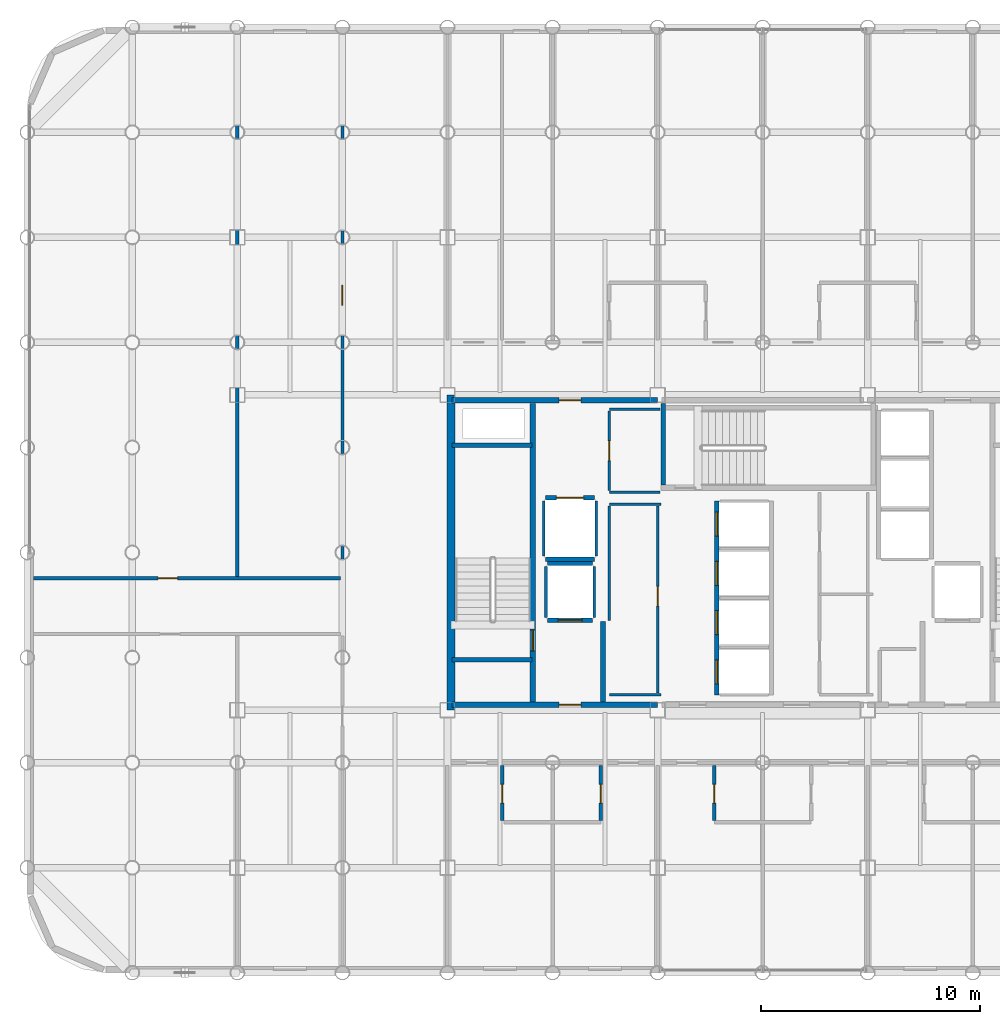
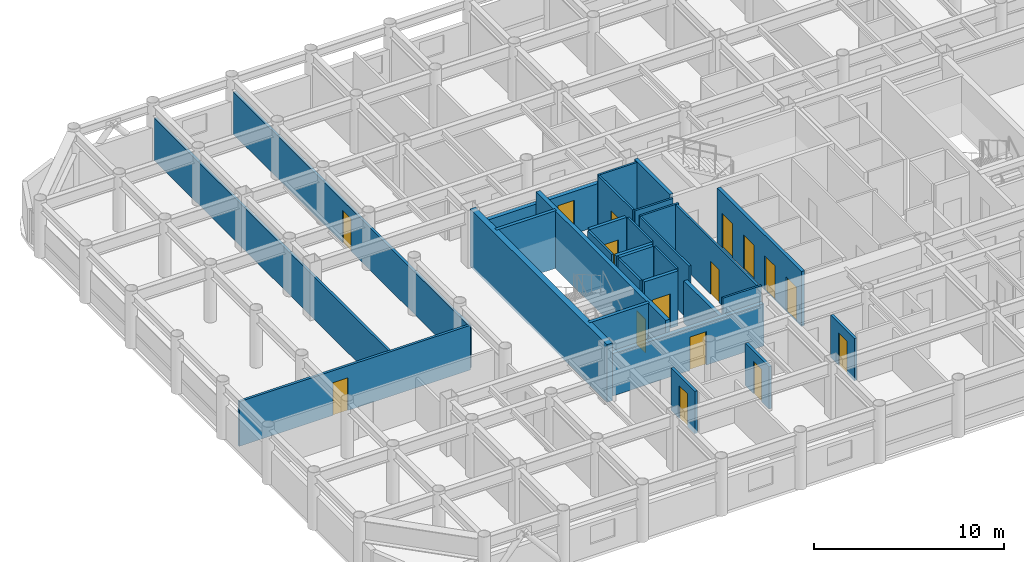
# One storey, part 16 of 20: 30 walls, 16 doors, 16 openings.
"""IFC4 building model written with IfcOpenShell, lengths in metres."""

from ifc_helpers import new_model, si_unit, direction, frame, frame_2d, origin, place, context, subcontext, project, spatial, rectangle, extrude, material, layer, layer_set, type_object, element, fill, save


model = new_model("IFC4")

# Units and contexts
model_context = context("Model", 3, precision=1e-05, world=origin(), true_north=direction((0.0, 1.0)))
body_context = subcontext(model_context, "Body", "Model", "MODEL_VIEW")
ifc_project = project(units=[si_unit("LENGTHUNIT", "METRE"), si_unit("AREAUNIT", "SQUARE_METRE"), si_unit("VOLUMEUNIT", "CUBIC_METRE"), si_unit("PLANEANGLEUNIT", "RADIAN"), si_unit("MASSUNIT", "GRAM", prefix="KILO")], contexts=[model_context])

# Site, building, storey
site_placement = place(None, origin())
site = spatial("IfcSite", under=ifc_project, at=site_placement, CompositionType="ELEMENT")
building_placement = place(site_placement, origin())
building = spatial("IfcBuilding", under=site, at=building_placement, Name="Kallvorn Hotel Tower", CompositionType="ELEMENT")
storey_placement = place(building_placement, frame((0.0, 0.0, 128.5)))
storey = spatial("IfcBuildingStorey", under=building, at=storey_placement, Name="L31", CompositionType="ELEMENT", Elevation=128.5)

# Wall
ifc_material_1 = material(Name="Concrete C50/60", Category="concrete")
ifc_layer_1 = layer(ifc_material_1, 0.35009765625)
ifc_layer_set_1 = layer_set([ifc_layer_1], Name="WL_CORE_350")
wall_type_1 = type_object("IfcWallType", Name="WL_CORE_350", PredefinedType="SHEAR", material=ifc_layer_set_1)
wall_1_placement = place(storey_placement, frame((-14.239990234375, -7.199951171875, -0.179931640625), z_axis=(0.0, 0.0, 1.0), x_axis=(0.0, 1.0, 0.0)))
element("IfcWall", 1, at=wall_1_placement, inside=storey, type_object=wall_type_1, Name="L31 Core West Shear Wall", PredefinedType="SHEAR", context=body_context, shape_type="SweptSolid", body=[
    extrude(rectangle(XDim=14.39990234375, YDim=0.35009765625, at=frame_2d((7.199951171875, 0.0))), origin(), (0.0, 0.0, 1.0), 3.699951171875),
])

# Wall, opening, door
ifc_material_2 = material(Name="Fire-rated double-layer acoustic gypsum drywall EI 60")
ifc_layer_2 = layer(ifc_material_2, 0.159912109375)
ifc_layer_set_2 = layer_set([ifc_layer_2], Name="WL_DEMISE_160")
wall_type_2 = type_object("IfcWallType", Name="WL_DEMISE_160", PredefinedType="PARTITIONING", material=ifc_layer_set_2)
wall_2_placement = place(storey_placement, frame((-11.905029296875, -12.235107421875, 0.0), z_axis=(0.0, 0.0, 1.0), x_axis=(0.0, 1.0, 0.0)))
wall_2 = element("IfcWall", 2, at=wall_2_placement, inside=storey, type_object=wall_type_2, Name="L31 Suite 3101 Superior Twin Room Partition", PredefinedType="PARTITIONING", context=body_context, shape_type="SweptSolid", body=[
    extrude(rectangle(XDim=2.51513671875, YDim=0.159912109375, at=frame_2d((1.257568359375, 0.0))), origin(), (0.0, 0.0, 1.0), 2.719970703125),
])
opening_1_placement = place(wall_2_placement, frame((0.784912109375, 0.0, 0.0)))
opening_1 = element("IfcOpeningElement", 3, at=opening_1_placement, cuts=wall_2, Name="Opening BD-I", PredefinedType="OPENING", context=body_context, shape_type="SweptSolid", body=[
    extrude(rectangle(XDim=0.860107421875, YDim=2.10009765625, at=frame_2d((0.43017578125, 1.050048828125))), frame((0.0, 0.094970703125, 0.0), z_axis=(0.0, -1.0, 0.0), x_axis=(1.0, 0.0, 0.0)), (0.0, 0.0, 1.0), 0.18994140625),
])
ifc_material_3 = material(Name="Solid-core walnut veneer fire-rated timber door leaf", Category="wood")
door_type_1 = type_object("IfcDoorType", Name="DR_BATH_860x2100", OperationType="NOTDEFINED", PredefinedType="DOOR", material=ifc_material_3)
door_1_placement = place(opening_1_placement, origin())
door_1 = element("IfcDoor", 4, at=door_1_placement, inside=storey, type_object=door_type_1, Name="L31 Suite 3101 En-Suite Bathroom Door", OperationType="SINGLE_SWING_RIGHT", OverallHeight=2.10009765625, OverallWidth=0.860107421875, PredefinedType="DOOR", context=body_context, shape_type="SweptSolid", body=[
    extrude(rectangle(XDim=0.860107421875, YDim=2.10009765625, at=frame_2d((0.43017578125, 1.050048828125))), frame((0.0, 0.02490234375, 0.0), z_axis=(0.0, -1.0, 0.0), x_axis=(1.0, 0.0, 0.0)), (0.0, 0.0, 1.0), 0.050048828125),
])
fill(opening_1, door_1)

wall_3_placement = place(storey_placement, frame((-7.389892578125, -12.235107421875, 0.0), z_axis=(0.0, 0.0, 1.0), x_axis=(0.0, 1.0, 0.0)))
wall_3 = element("IfcWall", 5, at=wall_3_placement, inside=storey, type_object=wall_type_2, Name="L31 Suite 3102 Superior Twin Room Partition", PredefinedType="PARTITIONING", context=body_context, shape_type="SweptSolid", body=[
    extrude(rectangle(XDim=2.51513671875, YDim=0.159912109375, at=frame_2d((1.257568359375, 0.0))), origin(), (0.0, 0.0, 1.0), 2.719970703125),
])
opening_2_placement = place(wall_3_placement, frame((0.784912109375, 0.0, 0.0)))
opening_2 = element("IfcOpeningElement", 6, at=opening_2_placement, cuts=wall_3, Name="Opening BD-I", PredefinedType="OPENING", context=body_context, shape_type="SweptSolid", body=[
    extrude(rectangle(XDim=0.860107421875, YDim=2.10009765625, at=frame_2d((0.43017578125, 1.050048828125))), frame((0.0, 0.094970703125, 0.0), z_axis=(0.0, -1.0, 0.0), x_axis=(1.0, 0.0, 0.0)), (0.0, 0.0, 1.0), 0.18994140625),
])
door_2_placement = place(opening_2_placement, origin())
door_2 = element("IfcDoor", 7, at=door_2_placement, inside=storey, type_object=door_type_1, Name="L31 Suite 3102 En-Suite Bathroom Door", OperationType="SINGLE_SWING_LEFT", OverallHeight=2.10009765625, OverallWidth=0.860107421875, PredefinedType="DOOR", context=body_context, shape_type="SweptSolid", body=[
    extrude(rectangle(XDim=0.860107421875, YDim=2.10009765625, at=frame_2d((0.43017578125, 1.050048828125))), frame((0.0, 0.02490234375, 0.0), z_axis=(0.0, -1.0, 0.0), x_axis=(1.0, 0.0, 0.0)), (0.0, 0.0, 1.0), 0.050048828125),
])
fill(opening_2, door_2)

wall_4_placement = place(storey_placement, frame((-2.2099609375, -12.235107421875, 0.0), z_axis=(0.0, 0.0, 1.0), x_axis=(0.0, 1.0, 0.0)))
wall_4 = element("IfcWall", 8, at=wall_4_placement, inside=storey, type_object=wall_type_2, Name="L31 Suite 3103 Superior Twin Room Partition", PredefinedType="PARTITIONING", context=body_context, shape_type="SweptSolid", body=[
    extrude(rectangle(XDim=2.51513671875, YDim=0.159912109375, at=frame_2d((1.257568359375, 0.0))), origin(), (0.0, 0.0, 1.0), 2.719970703125),
])
opening_3_placement = place(wall_4_placement, frame((0.784912109375, 0.0, 0.0)))
opening_3 = element("IfcOpeningElement", 9, at=opening_3_placement, cuts=wall_4, Name="Opening BD-I", PredefinedType="OPENING", context=body_context, shape_type="SweptSolid", body=[
    extrude(rectangle(XDim=0.860107421875, YDim=2.10009765625, at=frame_2d((0.43017578125, 1.050048828125))), frame((0.0, 0.094970703125, 0.0), z_axis=(0.0, -1.0, 0.0), x_axis=(1.0, 0.0, 0.0)), (0.0, 0.0, 1.0), 0.18994140625),
])
door_3_placement = place(opening_3_placement, origin())
door_3 = element("IfcDoor", 10, at=door_3_placement, inside=storey, type_object=door_type_1, Name="L31 Suite 3103 En-Suite Bathroom Door", OperationType="SINGLE_SWING_LEFT", OverallHeight=2.10009765625, OverallWidth=0.860107421875, PredefinedType="DOOR", context=body_context, shape_type="SweptSolid", body=[
    extrude(rectangle(XDim=0.860107421875, YDim=2.10009765625, at=frame_2d((0.43017578125, 1.050048828125))), frame((0.0, 0.02490234375, 0.0), z_axis=(0.0, -1.0, 0.0), x_axis=(1.0, 0.0, 0.0)), (0.0, 0.0, 1.0), 0.050048828125),
])
fill(opening_3, door_3)

# Walls
ifc_material_4 = material(Name="Concrete C40/50", Category="concrete")
ifc_layer_3 = layer(ifc_material_4, 0.219970703125)
ifc_layer_set_3 = layer_set([ifc_layer_3], Name="WL_FFL_220")
wall_type_3 = type_object("IfcWallType", Name="WL_FFL_220", PredefinedType="SOLIDWALL", material=ifc_layer_set_3)
wall_5_placement = place(storey_placement, frame((-7.300048828125, -6.820068359375, 0.0), z_axis=(0.0, 0.0, 1.0), x_axis=(0.0, 1.0, 0.0)))
element("IfcWall", 11, at=wall_5_placement, inside=storey, type_object=wall_type_3, Name="L31 Firefighting Lobby West Divider Wall", PredefinedType="SOLIDWALL", context=body_context, shape_type="SweptSolid", body=[
    extrude(rectangle(XDim=3.670166015625, YDim=0.219970703125, at=frame_2d((1.8349609375, 0.0))), origin(), (0.0, 0.0, 1.0), 2.719970703125),
])
ifc_material_5 = material(Name="Concrete C40/50", Category="concrete")
ifc_layer_4 = layer(ifc_material_5, 0.199951171875)
ifc_layer_set_4 = layer_set([ifc_layer_4], Name="WL_HOIST_200")
wall_type_4 = type_object("IfcWallType", Name="WL_HOIST_200", PredefinedType="SOLIDWALL", material=ifc_layer_set_4)
for number, where, z_axis, x_axis, name in (
    (12, (-14.199951171875, -4.89990234375, -0.179931640625), (0.0, 0.0, 1.0), (1.0, 0.0, 0.0), "L31 Stair ST1 South Wall"),
    (13, (-14.199951171875, 4.89990234375, -0.179931640625), (0.0, 0.0, 1.0), (1.0, 0.0, 0.0), "L31 Stair ST1 North Wall"),
):
    element("IfcWall", number, at=place(storey_placement, frame(where, z_axis=z_axis, x_axis=x_axis)), inside=storey, type_object=wall_type_4, Name=name, PredefinedType="SOLIDWALL", context=body_context, shape_type="SweptSolid", body=[
        extrude(rectangle(XDim=3.64990234375, YDim=0.199951171875, at=frame_2d((1.824951171875, 0.0))), origin(), (0.0, 0.0, 1.0), 3.699951171875),
    ])
wall_6_placement = place(storey_placement, frame((-4.550048828125, 3.080078125, -0.179931640625), z_axis=(0.0, 0.0, 1.0), x_axis=(0.0, 1.0, 0.0)))
element("IfcWall", 14, at=wall_6_placement, inside=storey, type_object=wall_type_4, Name="L31 Stair ST3 West Wall", PredefinedType="SOLIDWALL", context=body_context, shape_type="SweptSolid", body=[
    extrude(rectangle(XDim=3.739990234375, YDim=0.199951171875, at=frame_2d((1.8701171875, 0.0))), origin(), (0.0, 0.0, 1.0), 3.699951171875),
])

# Wall, openings, doors
wall_7_placement = place(storey_placement, frame((-2.10009765625, -6.5, 0.0), z_axis=(0.0, 0.0, 1.0), x_axis=(0.0, 1.0, 0.0)))
wall_7 = element("IfcWall", 15, at=wall_7_placement, inside=storey, type_object=wall_type_4, Name="L31 Lift Bank B2 Landing Wall", PredefinedType="SOLIDWALL", context=body_context, shape_type="SweptSolid", body=[
    extrude(rectangle(XDim=8.85009765625, YDim=0.199951171875, at=frame_2d((4.425048828125, 0.0))), origin(), (0.0, 0.0, 1.0), 3.52001953125),
])
opening_4_placement = place(wall_7_placement, frame((0.5, 0.0, 0.0)))
opening_4 = element("IfcOpeningElement", 16, at=opening_4_placement, cuts=wall_7, Name="Opening LD-PL-05", PredefinedType="OPENING", context=body_context, shape_type="SweptSolid", body=[
    extrude(rectangle(XDim=1.10009765625, YDim=2.199951171875, at=frame_2d((0.550048828125, 1.10009765625))), frame((0.0, 0.114990234375, 0.0), z_axis=(0.0, -1.0, 0.0), x_axis=(1.0, 0.0, 0.0)), (0.0, 0.0, 1.0), 0.22998046875),
])
opening_5_placement = place(wall_7_placement, frame((2.75, 0.0, 0.0)))
opening_5 = element("IfcOpeningElement", 17, at=opening_5_placement, cuts=wall_7, Name="Opening LD-PL-06", PredefinedType="OPENING", context=body_context, shape_type="SweptSolid", body=[
    extrude(rectangle(XDim=1.10009765625, YDim=2.199951171875, at=frame_2d((0.550048828125, 1.10009765625))), frame((0.0, 0.114990234375, 0.0), z_axis=(0.0, -1.0, 0.0), x_axis=(1.0, 0.0, 0.0)), (0.0, 0.0, 1.0), 0.22998046875),
])
opening_6_placement = place(wall_7_placement, frame((5.0, 0.0, 0.0)))
opening_6 = element("IfcOpeningElement", 18, at=opening_6_placement, cuts=wall_7, Name="Opening LD-PL-07", PredefinedType="OPENING", context=body_context, shape_type="SweptSolid", body=[
    extrude(rectangle(XDim=1.10009765625, YDim=2.199951171875, at=frame_2d((0.550048828125, 1.10009765625))), frame((0.0, 0.114990234375, 0.0), z_axis=(0.0, -1.0, 0.0), x_axis=(1.0, 0.0, 0.0)), (0.0, 0.0, 1.0), 0.22998046875),
])
opening_7_placement = place(wall_7_placement, frame((7.25, 0.0, 0.0)))
opening_7 = element("IfcOpeningElement", 19, at=opening_7_placement, cuts=wall_7, Name="Opening LD-PL-08", PredefinedType="OPENING", context=body_context, shape_type="SweptSolid", body=[
    extrude(rectangle(XDim=1.10009765625, YDim=2.199951171875, at=frame_2d((0.550048828125, 1.10009765625))), frame((0.0, 0.114990234375, 0.0), z_axis=(0.0, -1.0, 0.0), x_axis=(1.0, 0.0, 0.0)), (0.0, 0.0, 1.0), 0.22998046875),
])
ifc_material_6 = material(Name="Brushed stainless-steel automatic sliding lift landing door", Category="steel")
door_type_2 = type_object("IfcDoorType", Name="LD_PASS_1100x2200", OperationType="SLIDING_TO_LEFT", PredefinedType="DOOR", material=ifc_material_6)
door_4_placement = place(opening_4_placement, origin())
door_4 = element("IfcDoor", 20, at=door_4_placement, inside=storey, type_object=door_type_2, Name="L31 Lift Landing Sliding Door LD-PL-05", OperationType="SLIDING_TO_LEFT", OverallHeight=2.199951171875, OverallWidth=1.10009765625, PredefinedType="DOOR", context=body_context, shape_type="SweptSolid", body=[
    extrude(rectangle(XDim=1.10009765625, YDim=2.199951171875, at=frame_2d((0.550048828125, 1.10009765625))), frame((0.0, 0.02490234375, 0.0), z_axis=(0.0, -1.0, 0.0), x_axis=(1.0, 0.0, 0.0)), (0.0, 0.0, 1.0), 0.050048828125),
])
fill(opening_4, door_4)
door_5_placement = place(opening_5_placement, origin())
door_5 = element("IfcDoor", 21, at=door_5_placement, inside=storey, type_object=door_type_2, Name="L31 Lift Landing Sliding Door LD-PL-06", OperationType="SLIDING_TO_LEFT", OverallHeight=2.199951171875, OverallWidth=1.10009765625, PredefinedType="DOOR", context=body_context, shape_type="SweptSolid", body=[
    extrude(rectangle(XDim=1.10009765625, YDim=2.199951171875, at=frame_2d((0.550048828125, 1.10009765625))), frame((0.0, 0.02490234375, 0.0), z_axis=(0.0, -1.0, 0.0), x_axis=(1.0, 0.0, 0.0)), (0.0, 0.0, 1.0), 0.050048828125),
])
fill(opening_5, door_5)
door_6_placement = place(opening_6_placement, origin())
door_6 = element("IfcDoor", 22, at=door_6_placement, inside=storey, type_object=door_type_2, Name="L31 Lift Landing Sliding Door LD-PL-07", OperationType="SLIDING_TO_LEFT", OverallHeight=2.199951171875, OverallWidth=1.10009765625, PredefinedType="DOOR", context=body_context, shape_type="SweptSolid", body=[
    extrude(rectangle(XDim=1.10009765625, YDim=2.199951171875, at=frame_2d((0.550048828125, 1.10009765625))), frame((0.0, 0.02490234375, 0.0), z_axis=(0.0, -1.0, 0.0), x_axis=(1.0, 0.0, 0.0)), (0.0, 0.0, 1.0), 0.050048828125),
])
fill(opening_6, door_6)
door_7_placement = place(opening_7_placement, origin())
door_7 = element("IfcDoor", 23, at=door_7_placement, inside=storey, type_object=door_type_2, Name="L31 Lift Landing Sliding Door LD-PL-08", OperationType="SLIDING_TO_LEFT", OverallHeight=2.199951171875, OverallWidth=1.10009765625, PredefinedType="DOOR", context=body_context, shape_type="SweptSolid", body=[
    extrude(rectangle(XDim=1.10009765625, YDim=2.199951171875, at=frame_2d((0.550048828125, 1.10009765625))), frame((0.0, 0.02490234375, 0.0), z_axis=(0.0, -1.0, 0.0), x_axis=(1.0, 0.0, 0.0)), (0.0, 0.0, 1.0), 0.050048828125),
])
fill(opening_7, door_7)

# Wall, opening, door
wall_8_placement = place(storey_placement, frame((-9.820068359375, -3.10009765625, 0.0), z_axis=(0.0, 0.0, 1.0), x_axis=(1.0, 0.0, 0.0)))
wall_8 = element("IfcWall", 24, at=wall_8_placement, inside=storey, type_object=wall_type_4, Name="L31 FL-1 Landing Wall", PredefinedType="SOLIDWALL", context=body_context, shape_type="SweptSolid", body=[
    extrude(rectangle(XDim=2.0400390625, YDim=0.199951171875, at=frame_2d((1.02001953125, 0.0))), origin(), (0.0, 0.0, 1.0), 3.52001953125),
])
opening_8_placement = place(wall_8_placement, frame((0.469970703125, 0.0, 0.0)))
opening_8 = element("IfcOpeningElement", 25, at=opening_8_placement, cuts=wall_8, Name="Opening LD-FL-1", PredefinedType="OPENING", context=body_context, shape_type="SweptSolid", body=[
    extrude(rectangle(XDim=1.10009765625, YDim=2.199951171875, at=frame_2d((0.550048828125, 1.10009765625))), frame((0.0, 0.114990234375, 0.0), z_axis=(0.0, -1.0, 0.0), x_axis=(1.0, 0.0, 0.0)), (0.0, 0.0, 1.0), 0.22998046875),
])
door_8_placement = place(opening_8_placement, origin())
door_8 = element("IfcDoor", 26, at=door_8_placement, inside=storey, type_object=door_type_2, Name="L31 Lift Landing Sliding Door LD-FL-1", OperationType="SLIDING_TO_LEFT", OverallHeight=2.199951171875, OverallWidth=1.10009765625, PredefinedType="DOOR", context=body_context, shape_type="SweptSolid", body=[
    extrude(rectangle(XDim=1.10009765625, YDim=2.199951171875, at=frame_2d((0.550048828125, 1.10009765625))), frame((0.0, 0.02490234375, 0.0), z_axis=(0.0, -1.0, 0.0), x_axis=(1.0, 0.0, 0.0)), (0.0, 0.0, 1.0), 0.050048828125),
])
fill(opening_8, door_8)

# Wall
wall_9_placement = place(storey_placement, frame((-9.820068359375, -0.5, 0.0), z_axis=(0.0, 0.0, 1.0), x_axis=(1.0, 0.0, 0.0)))
element("IfcWall", 27, at=wall_9_placement, inside=storey, type_object=wall_type_4, Name="L31 FL-1 Rear Shaft Wall", PredefinedType="SOLIDWALL", context=body_context, shape_type="SweptSolid", body=[
    extrude(rectangle(XDim=2.0400390625, YDim=0.199951171875, at=frame_2d((1.02001953125, 0.0))), origin(), (0.0, 0.0, 1.0), 3.52001953125),
])

# Wall, opening, door
wall_10_placement = place(storey_placement, frame((-9.919921875, 2.5, 0.0), z_axis=(0.0, 0.0, 1.0), x_axis=(1.0, 0.0, 0.0)))
wall_10 = element("IfcWall", 28, at=wall_10_placement, inside=storey, type_object=wall_type_4, Name="L31 SV-01 Landing Wall", PredefinedType="SOLIDWALL", context=body_context, shape_type="SweptSolid", body=[
    extrude(rectangle(XDim=2.239990234375, YDim=0.199951171875, at=frame_2d((1.1201171875, 0.0))), origin(), (0.0, 0.0, 1.0), 3.52001953125),
])
opening_9_placement = place(wall_10_placement, frame((0.4951171875, 0.0, 0.0)))
opening_9 = element("IfcOpeningElement", 29, at=opening_9_placement, cuts=wall_10, Name="Opening LD-SV-01", PredefinedType="OPENING", context=body_context, shape_type="SweptSolid", body=[
    extrude(rectangle(XDim=1.25, YDim=2.25, at=frame_2d((0.625, 1.125))), frame((0.0, 0.114990234375, 0.0), z_axis=(0.0, -1.0, 0.0), x_axis=(1.0, 0.0, 0.0)), (0.0, 0.0, 1.0), 0.22998046875),
])
ifc_material_7 = material(Name="Brushed stainless-steel automatic sliding lift landing door", Category="steel")
door_type_3 = type_object("IfcDoorType", Name="LD_SERV_1250x2250", OperationType="SLIDING_TO_LEFT", PredefinedType="DOOR", material=ifc_material_7)
door_9_placement = place(opening_9_placement, origin())
door_9 = element("IfcDoor", 30, at=door_9_placement, inside=storey, type_object=door_type_3, Name="L31 Lift Landing Sliding Door LD-SV-01", OperationType="SLIDING_TO_LEFT", OverallHeight=2.25, OverallWidth=1.25, PredefinedType="DOOR", context=body_context, shape_type="SweptSolid", body=[
    extrude(rectangle(XDim=1.25, YDim=2.25, at=frame_2d((0.625, 1.125))), frame((0.0, 0.02490234375, 0.0), z_axis=(0.0, -1.0, 0.0), x_axis=(1.0, 0.0, 0.0)), (0.0, 0.0, 1.0), 0.050048828125),
])
fill(opening_9, door_9)

# Walls
wall_11_placement = place(storey_placement, frame((-9.919921875, -0.300048828125, 0.0), z_axis=(0.0, 0.0, 1.0), x_axis=(1.0, 0.0, 0.0)))
element("IfcWall", 31, at=wall_11_placement, inside=storey, type_object=wall_type_4, Name="L31 SV-01 Rear Shaft Wall", PredefinedType="SOLIDWALL", context=body_context, shape_type="SweptSolid", body=[
    extrude(rectangle(XDim=2.239990234375, YDim=0.199951171875, at=frame_2d((1.1201171875, 0.0))), origin(), (0.0, 0.0, 1.0), 3.52001953125),
])
ifc_material_8 = material(Name="Fire-rated double-layer acoustic gypsum drywall EI 60")
ifc_layer_5 = layer(ifc_material_8, 0.1201171875)
ifc_layer_set_5 = layer_set([ifc_layer_5], Name="WL_INT_120")
wall_type_5 = type_object("IfcWallType", Name="WL_INT_120", PredefinedType="PARTITIONING", material=ifc_layer_set_5)
for number, where, z_axis, x_axis, name in (
    (32, (-9.89990234375, -2.9599609375, 0.0), (0.0, 0.0, 1.0), (0.0, 1.0, 0.0), "L31 FL-1 West Shaft Wall"),
    (33, (-7.699951171875, -2.9599609375, 0.0), (0.0, 0.0, 1.0), (0.0, 1.0, 0.0), "L31 FL-1 East Shaft Wall"),
):
    element("IfcWall", number, at=place(storey_placement, frame(where, z_axis=z_axis, x_axis=x_axis)), inside=storey, type_object=wall_type_5, Name=name, PredefinedType="PARTITIONING", context=body_context, shape_type="SweptSolid", body=[
        extrude(rectangle(XDim=2.320068359375, YDim=0.1201171875, at=frame_2d((1.16015625, 0.0))), origin(), (0.0, 0.0, 1.0), 3.52001953125),
    ])
for number, where, z_axis, x_axis, name in (
    (34, (-10.0, -0.159912109375, 0.0), (0.0, 0.0, 1.0), (0.0, 1.0, 0.0), "L31 SV-01 West Shaft Wall"),
    (35, (-7.60009765625, -0.159912109375, 0.0), (0.0, 0.0, 1.0), (0.0, 1.0, 0.0), "L31 SV-01 East Shaft Wall"),
):
    element("IfcWall", number, at=place(storey_placement, frame(where, z_axis=z_axis, x_axis=x_axis)), inside=storey, type_object=wall_type_5, Name=name, PredefinedType="PARTITIONING", context=body_context, shape_type="SweptSolid", body=[
        extrude(rectangle(XDim=2.52001953125, YDim=0.1201171875, at=frame_2d((1.260009765625, 0.0))), origin(), (0.0, 0.0, 1.0), 3.52001953125),
    ])
for number, where, z_axis, x_axis, name in (
    (36, (-7.0, -6.5, 0.0), (0.0, 0.0, 1.0), (1.0, 0.0, 0.0), "L31 Recaptured Butler and Room-Service Pantry Partition"),
    (37, (-7.0, 2.199951171875, 0.0), (0.0, 0.0, 1.0), (1.0, 0.0, 0.0), "L31 Recaptured Butler and Room-Service Pantry Partition"),
):
    element("IfcWall", number, at=place(storey_placement, frame(where, z_axis=z_axis, x_axis=x_axis)), inside=storey, type_object=wall_type_5, Name=name, PredefinedType="PARTITIONING", context=body_context, shape_type="SweptSolid", body=[
        extrude(rectangle(XDim=2.35009765625, YDim=0.1201171875, at=frame_2d((1.175048828125, 0.0))), origin(), (0.0, 0.0, 1.0), 3.52001953125),
    ])
for number, where, z_axis, x_axis, name in (
    (38, (-7.0, 2.75, 0.0), (0.0, 0.0, 1.0), (1.0, 0.0, 0.0), "L31 Recaptured Valet and Linen Reserve Store Partition"),
    (39, (-7.0, 6.550048828125, 0.0), (0.0, 0.0, 1.0), (1.0, 0.0, 0.0), "L31 Recaptured Valet and Linen Reserve Store Partition"),
):
    element("IfcWall", number, at=place(storey_placement, frame(where, z_axis=z_axis, x_axis=x_axis)), inside=storey, type_object=wall_type_5, Name=name, PredefinedType="PARTITIONING", context=body_context, shape_type="SweptSolid", body=[
        extrude(rectangle(XDim=2.31005859375, YDim=0.1201171875, at=frame_2d((1.155029296875, 0.0))), origin(), (0.0, 0.0, 1.0), 3.52001953125),
    ])
wall_12_placement = place(storey_placement, frame((-7.0048828125, -3.110107421875, 0.0), z_axis=(0.0, 0.0, 1.0), x_axis=(0.0, 1.0, 0.0)))
element("IfcWall", 40, at=wall_12_placement, inside=storey, type_object=wall_type_5, Name="L31 Recaptured Butler and Room-Service Pantry Partition", PredefinedType="PARTITIONING", context=body_context, shape_type="SweptSolid", body=[
    extrude(rectangle(XDim=5.22509765625, YDim=0.1201171875, at=frame_2d((2.612548828125, 0.0))), origin(), (0.0, 0.0, 1.0), 3.52001953125),
])

# Wall, opening, door
wall_13_placement = place(storey_placement, frame((-7.0048828125, 2.8349609375, 0.0), z_axis=(0.0, 0.0, 1.0), x_axis=(0.0, 1.0, 0.0)))
wall_13 = element("IfcWall", 41, at=wall_13_placement, inside=storey, type_object=wall_type_5, Name="L31 Recaptured Valet and Linen Reserve Store Partition", PredefinedType="PARTITIONING", context=body_context, shape_type="SweptSolid", body=[
    extrude(rectangle(XDim=3.630126953125, YDim=0.1201171875, at=frame_2d((1.81494140625, 0.0))), origin(), (0.0, 0.0, 1.0), 3.52001953125),
])
opening_10_placement = place(wall_13_placement, frame((1.364990234375, 0.0, 0.0)))
opening_10 = element("IfcOpeningElement", 42, at=opening_10_placement, cuts=wall_13, Name="Opening SVD1", PredefinedType="OPENING", context=body_context, shape_type="SweptSolid", body=[
    extrude(rectangle(XDim=0.89990234375, YDim=2.10009765625, at=frame_2d((0.449951171875, 1.050048828125))), frame((0.0, 0.074951171875, 0.0), z_axis=(0.0, -1.0, 0.0), x_axis=(1.0, 0.0, 0.0)), (0.0, 0.0, 1.0), 0.150146484375),
])
ifc_material_9 = material(Name="Galvanised painted steel fire-rated door assembly", Category="steel")
door_type_4 = type_object("IfcDoorType", Name="DR_SERV_900x2100", OperationType="NOTDEFINED", PredefinedType="DOOR", material=ifc_material_9)
door_10_placement = place(opening_10_placement, origin())
door_10 = element("IfcDoor", 43, at=door_10_placement, inside=storey, type_object=door_type_4, Name="L31 Recaptured Valet and Linen Reserve Store Door", OperationType="SINGLE_SWING_RIGHT", OverallHeight=2.10009765625, OverallWidth=0.89990234375, PredefinedType="DOOR", context=body_context, shape_type="SweptSolid", body=[
    extrude(rectangle(XDim=0.89990234375, YDim=2.10009765625, at=frame_2d((0.449951171875, 1.050048828125))), frame((0.0, 0.02490234375, 0.0), z_axis=(0.0, -1.0, 0.0), x_axis=(1.0, 0.0, 0.0)), (0.0, 0.0, 1.0), 0.050048828125),
])
fill(opening_10, door_10)

wall_14_placement = place(storey_placement, frame((-4.800048828125, -6.4150390625, 0.0), z_axis=(0.0, 0.0, 1.0), x_axis=(0.0, 1.0, 0.0)))
wall_14 = element("IfcWall", 44, at=wall_14_placement, inside=storey, type_object=wall_type_5, Name="L31 Recaptured Butler and Room-Service Pantry Partition", PredefinedType="PARTITIONING", context=body_context, shape_type="SweptSolid", body=[
    extrude(rectangle(XDim=8.530029296875, YDim=0.1201171875, at=frame_2d((4.26513671875, 0.0))), origin(), (0.0, 0.0, 1.0), 3.52001953125),
])
opening_11_placement = place(wall_14_placement, frame((3.965087890625, 0.0, 0.0)))
opening_11 = element("IfcOpeningElement", 45, at=opening_11_placement, cuts=wall_14, Name="Opening SVD1", PredefinedType="OPENING", context=body_context, shape_type="SweptSolid", body=[
    extrude(rectangle(XDim=0.89990234375, YDim=2.10009765625, at=frame_2d((0.449951171875, 1.050048828125))), frame((0.0, 0.074951171875, 0.0), z_axis=(0.0, -1.0, 0.0), x_axis=(1.0, 0.0, 0.0)), (0.0, 0.0, 1.0), 0.150146484375),
])
door_11_placement = place(opening_11_placement, origin())
door_11 = element("IfcDoor", 46, at=door_11_placement, inside=storey, type_object=door_type_4, Name="L31 Recaptured Butler and Room-Service Pantry Door", OperationType="SINGLE_SWING_RIGHT", OverallHeight=2.10009765625, OverallWidth=0.89990234375, PredefinedType="DOOR", context=body_context, shape_type="SweptSolid", body=[
    extrude(rectangle(XDim=0.89990234375, YDim=2.10009765625, at=frame_2d((0.449951171875, 1.050048828125))), frame((0.0, 0.02490234375, 0.0), z_axis=(0.0, -1.0, 0.0), x_axis=(1.0, 0.0, 0.0)), (0.0, 0.0, 1.0), 0.050048828125),
])
fill(opening_11, door_11)

ifc_material_10 = material(Name="Fire-rated double-layer acoustic gypsum drywall EI 60")
ifc_layer_6 = layer(ifc_material_10, 0.14990234375)
ifc_layer_set_6 = layer_set([ifc_layer_6], Name="WL_PART_150")
wall_type_6 = type_object("IfcWallType", Name="WL_PART_150", PredefinedType="PARTITIONING", material=ifc_layer_set_6)
wall_15_placement = place(storey_placement, frame((-33.31005859375, -1.179931640625, 0.0), z_axis=(0.0, 0.0, 1.0), x_axis=(1.0, 0.0, 0.0)))
wall_15 = element("IfcWall", 47, at=wall_15_placement, inside=storey, type_object=wall_type_6, Name="L31 L31 Outer North-West Fitness Gymnasium Partition", PredefinedType="PARTITIONING", context=body_context, shape_type="SweptSolid", body=[
    extrude(rectangle(XDim=14.030029296875, YDim=0.14990234375, at=frame_2d((7.01513671875, 0.0))), origin(), (0.0, 0.0, 1.0), 2.8701171875),
])
opening_12_placement = place(wall_15_placement, frame((5.685791015625, 0.0, 0.0)))
opening_12 = element("IfcOpeningElement", 48, at=opening_12_placement, cuts=wall_15, Name="Opening SVD1", PredefinedType="OPENING", context=body_context, shape_type="SweptSolid", body=[
    extrude(rectangle(XDim=0.89990234375, YDim=2.10009765625, at=frame_2d((0.449951171875, 1.050048828125))), frame((0.0, 0.08984375, 0.0), z_axis=(0.0, -1.0, 0.0), x_axis=(1.0, 0.0, 0.0)), (0.0, 0.0, 1.0), 0.179931640625),
])
door_12_placement = place(opening_12_placement, origin())
door_12 = element("IfcDoor", 49, at=door_12_placement, inside=storey, type_object=door_type_4, Name="L31 L31 Outer North-West Fitness Gymnasium Door", OperationType="SINGLE_SWING_RIGHT", OverallHeight=2.10009765625, OverallWidth=0.89990234375, PredefinedType="DOOR", context=body_context, shape_type="SweptSolid", body=[
    extrude(rectangle(XDim=0.89990234375, YDim=2.10009765625, at=frame_2d((0.449951171875, 1.050048828125))), frame((0.0, 0.02490234375, 0.0), z_axis=(0.0, -1.0, 0.0), x_axis=(1.0, 0.0, 0.0)), (0.0, 0.0, 1.0), 0.050048828125),
])
fill(opening_12, door_12)

# Wall
wall_16_placement = place(storey_placement, frame((-24.0, -1.094970703125, 0.0), z_axis=(0.0, 0.0, 1.0), x_axis=(0.0, 1.0, 0.0)))
element("IfcWall", 50, at=wall_16_placement, inside=storey, type_object=wall_type_6, Name="L31 L31 Inner North-West Reading Salon Partition", PredefinedType="PARTITIONING", context=body_context, shape_type="SweptSolid", body=[
    extrude(rectangle(XDim=24.804931640625, YDim=0.14990234375, at=frame_2d((12.40234375, 0.0))), origin(), (0.0, 0.0, 1.0), 2.719970703125),
])

# Wall, opening, door
wall_17_placement = place(storey_placement, frame((-19.199951171875, -1.094970703125, 0.0), z_axis=(0.0, 0.0, 1.0), x_axis=(0.0, 1.0, 0.0)))
wall_17 = element("IfcWall", 51, at=wall_17_placement, inside=storey, type_object=wall_type_6, Name="L31 L31 Inner North-West Reading Salon Partition", PredefinedType="PARTITIONING", context=body_context, shape_type="SweptSolid", body=[
    extrude(rectangle(XDim=24.804931640625, YDim=0.14990234375, at=frame_2d((12.40234375, 0.0))), origin(), (0.0, 0.0, 1.0), 2.719970703125),
])
opening_13_placement = place(wall_17_placement, frame((12.40185546875, 0.0, 0.0)))
opening_13 = element("IfcOpeningElement", 52, at=opening_13_placement, cuts=wall_17, Name="Opening SVD1", PredefinedType="OPENING", context=body_context, shape_type="SweptSolid", body=[
    extrude(rectangle(XDim=0.89990234375, YDim=2.10009765625, at=frame_2d((0.449951171875, 1.050048828125))), frame((0.0, 0.08984375, 0.0), z_axis=(0.0, -1.0, 0.0), x_axis=(1.0, 0.0, 0.0)), (0.0, 0.0, 1.0), 0.179931640625),
])
door_13_placement = place(opening_13_placement, origin())
door_13 = element("IfcDoor", 53, at=door_13_placement, inside=storey, type_object=door_type_4, Name="L31 L31 Inner North-West Reading Salon Door", OperationType="SINGLE_SWING_RIGHT", OverallHeight=2.10009765625, OverallWidth=0.89990234375, PredefinedType="DOOR", context=body_context, shape_type="SweptSolid", body=[
    extrude(rectangle(XDim=0.89990234375, YDim=2.10009765625, at=frame_2d((0.449951171875, 1.050048828125))), frame((0.0, 0.02490234375, 0.0), z_axis=(0.0, -1.0, 0.0), x_axis=(1.0, 0.0, 0.0)), (0.0, 0.0, 1.0), 0.050048828125),
])
fill(opening_13, door_13)

ifc_material_11 = material(Name="Concrete C40/50", Category="concrete")
ifc_layer_7 = layer(ifc_material_11, 0.25)
ifc_layer_set_7 = layer_set([ifc_layer_7], Name="WL_SHAFT_250")
wall_type_7 = type_object("IfcWallType", Name="WL_SHAFT_250", PredefinedType="SOLIDWALL", material=ifc_layer_set_7)
wall_18_placement = place(storey_placement, frame((-14.199951171875, -6.949951171875, 0.0), z_axis=(0.0, 0.0, 1.0), x_axis=(1.0, 0.0, 0.0)))
wall_18 = element("IfcWall", 54, at=wall_18_placement, inside=storey, type_object=wall_type_7, Name="L31 Core South-West Wall", PredefinedType="SOLIDWALL", context=body_context, shape_type="SweptSolid", body=[
    extrude(rectangle(XDim=9.39990234375, YDim=0.25, at=frame_2d((4.699951171875, 0.0))), origin(), (0.0, 0.0, 1.0), 2.719970703125),
])
opening_14_placement = place(wall_18_placement, frame((4.89990234375, 0.0, 0.0)))
opening_14 = element("IfcOpeningElement", 55, at=opening_14_placement, cuts=wall_18, Name="Opening FD1", PredefinedType="OPENING", context=body_context, shape_type="SweptSolid", body=[
    extrude(rectangle(XDim=1.0, YDim=2.14990234375, at=frame_2d((0.5, 1.074951171875))), frame((0.0, 0.139892578125, 0.0), z_axis=(0.0, -1.0, 0.0), x_axis=(1.0, 0.0, 0.0)), (0.0, 0.0, 1.0), 0.280029296875),
])
ifc_material_12 = material(Name="Galvanised painted steel fire-rated door assembly", Category="steel")
door_type_5 = type_object("IfcDoorType", Name="DR_FFL_1000x2150", OperationType="NOTDEFINED", PredefinedType="DOOR", material=ifc_material_12)
door_14_placement = place(opening_14_placement, origin())
door_14 = element("IfcDoor", 56, at=door_14_placement, inside=storey, type_object=door_type_5, Name="L31 Firefighting Lobby West Door", OperationType="SINGLE_SWING_LEFT", OverallHeight=2.14990234375, OverallWidth=1.0, PredefinedType="DOOR", context=body_context, shape_type="SweptSolid", body=[
    extrude(rectangle(XDim=1.0, YDim=2.14990234375, at=frame_2d((0.5, 1.074951171875))), frame((0.0, 0.02490234375, 0.0), z_axis=(0.0, -1.0, 0.0), x_axis=(1.0, 0.0, 0.0)), (0.0, 0.0, 1.0), 0.050048828125),
])
fill(opening_14, door_14)

wall_19_placement = place(storey_placement, frame((-14.199951171875, 6.949951171875, 0.0), z_axis=(0.0, 0.0, 1.0), x_axis=(1.0, 0.0, 0.0)))
wall_19 = element("IfcWall", 57, at=wall_19_placement, inside=storey, type_object=wall_type_7, Name="L31 Core North-West Wall", PredefinedType="SOLIDWALL", context=body_context, shape_type="SweptSolid", body=[
    extrude(rectangle(XDim=9.39990234375, YDim=0.25, at=frame_2d((4.699951171875, 0.0))), origin(), (0.0, 0.0, 1.0), 2.719970703125),
])
opening_15_placement = place(wall_19_placement, frame((4.89990234375, 0.0, 0.0)))
opening_15 = element("IfcOpeningElement", 58, at=opening_15_placement, cuts=wall_19, Name="Opening FD1", PredefinedType="OPENING", context=body_context, shape_type="SweptSolid", body=[
    extrude(rectangle(XDim=1.0, YDim=2.14990234375, at=frame_2d((0.5, 1.074951171875))), frame((0.0, 0.139892578125, 0.0), z_axis=(0.0, -1.0, 0.0), x_axis=(1.0, 0.0, 0.0)), (0.0, 0.0, 1.0), 0.280029296875),
])
door_15_placement = place(opening_15_placement, origin())
door_15 = element("IfcDoor", 59, at=door_15_placement, inside=storey, type_object=door_type_5, Name="L31 Service Lift Lobby Door", OperationType="SINGLE_SWING_RIGHT", OverallHeight=2.14990234375, OverallWidth=1.0, PredefinedType="DOOR", context=body_context, shape_type="SweptSolid", body=[
    extrude(rectangle(XDim=1.0, YDim=2.14990234375, at=frame_2d((0.5, 1.074951171875))), frame((0.0, 0.02490234375, 0.0), z_axis=(0.0, -1.0, 0.0), x_axis=(1.0, 0.0, 0.0)), (0.0, 0.0, 1.0), 0.050048828125),
])
fill(opening_15, door_15)

wall_20_placement = place(storey_placement, frame((-10.5, -6.820068359375, -0.179931640625), z_axis=(0.0, 0.0, 1.0), x_axis=(0.0, 1.0, 0.0)))
wall_20 = element("IfcWall", 60, at=wall_20_placement, inside=storey, type_object=wall_type_7, Name="L31 Stair ST1 Shaft Wall", PredefinedType="SOLIDWALL", context=body_context, shape_type="SweptSolid", body=[
    extrude(rectangle(XDim=13.64013671875, YDim=0.25, at=frame_2d((6.820068359375, 0.0))), origin(), (0.0, 0.0, 1.0), 3.699951171875),
])
opening_16_placement = place(wall_20_placement, frame((2.320068359375, 0.0, 0.179931640625)))
opening_16 = element("IfcOpeningElement", 61, at=opening_16_placement, cuts=wall_20, Name="Opening SD1", PredefinedType="OPENING", context=body_context, shape_type="SweptSolid", body=[
    extrude(rectangle(XDim=0.949951171875, YDim=2.14990234375, at=frame_2d((0.47509765625, 1.074951171875))), frame((0.0, 0.139892578125, 0.0), z_axis=(0.0, -1.0, 0.0), x_axis=(1.0, 0.0, 0.0)), (0.0, 0.0, 1.0), 0.280029296875),
])
ifc_material_13 = material(Name="Galvanised painted steel fire-rated door assembly", Category="steel")
door_type_6 = type_object("IfcDoorType", Name="DR_STAIR_950x2150", OperationType="NOTDEFINED", PredefinedType="DOOR", material=ifc_material_13)
door_16_placement = place(opening_16_placement, origin())
door_16 = element("IfcDoor", 62, at=door_16_placement, inside=storey, type_object=door_type_6, Name="L31 Exit Stair ST1 Fire Door", OperationType="SINGLE_SWING_LEFT", OverallHeight=2.14990234375, OverallWidth=0.949951171875, PredefinedType="DOOR", context=body_context, shape_type="SweptSolid", body=[
    extrude(rectangle(XDim=0.949951171875, YDim=2.14990234375, at=frame_2d((0.47509765625, 1.074951171875))), frame((0.0, 0.02490234375, 0.0), z_axis=(0.0, -1.0, 0.0), x_axis=(1.0, 0.0, 0.0)), (0.0, 0.0, 1.0), 0.050048828125),
])
fill(opening_16, door_16)

save(model, "model.ifc")
